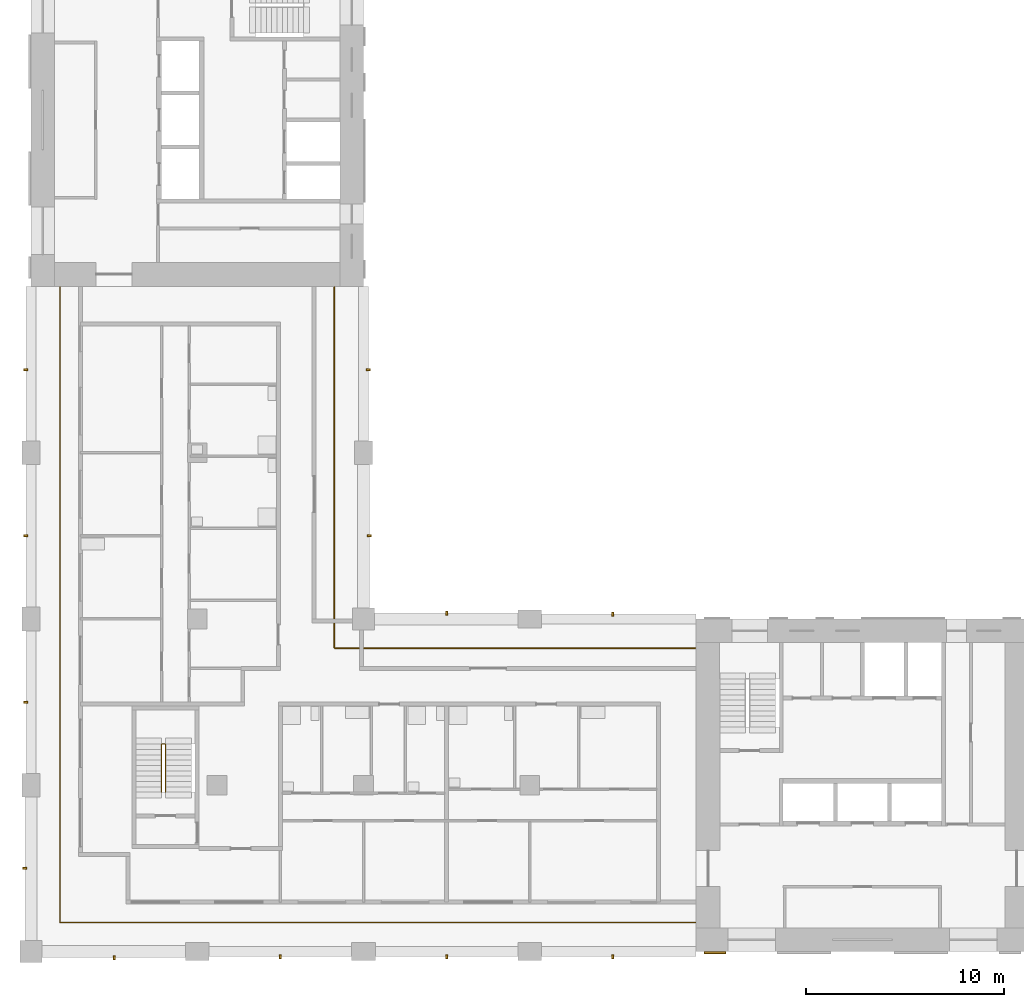
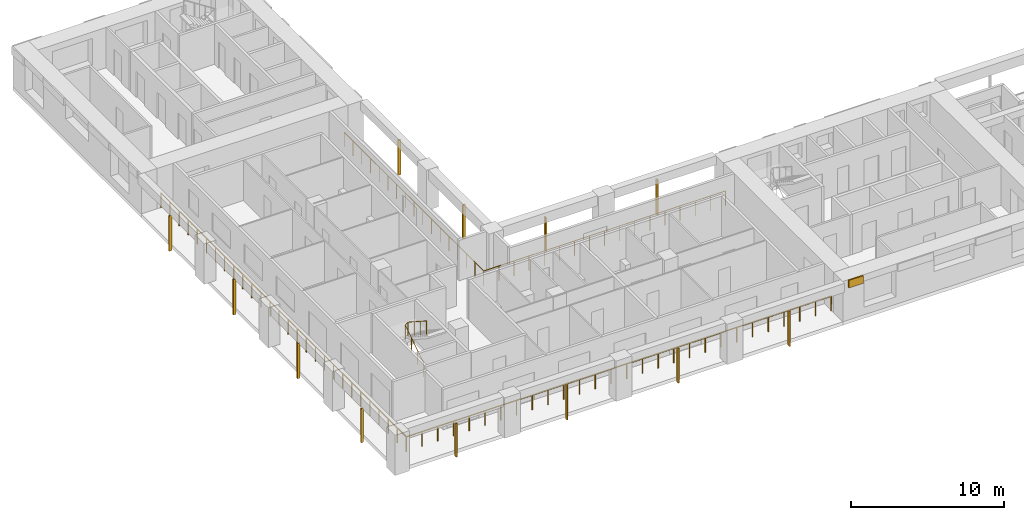
# One storey, part 7 of 10: 13 shading devices, 3 railings.
"""IFC4 building model written with IfcOpenShell, lengths in metres."""

from ifc_helpers import new_model, si_unit, direction, frame, origin, origin_2d, place, context, subcontext, project, spatial, rectangle, circle, extrude, material, layer, layer_set, material_profile, profile_set, type_object, element, save


model = new_model("IFC4")

# Units and contexts
model_context = context("Model", 3, precision=1e-05, world=origin(), true_north=direction((0.0, 1.0)))
body_context = subcontext(model_context, "Body", "Model", "MODEL_VIEW")
ifc_project = project(units=[si_unit("LENGTHUNIT", "METRE"), si_unit("AREAUNIT", "SQUARE_METRE"), si_unit("VOLUMEUNIT", "CUBIC_METRE"), si_unit("PLANEANGLEUNIT", "RADIAN"), si_unit("MASSUNIT", "GRAM", prefix="KILO")], contexts=[model_context])

# Site, building, storey
site_placement = place(None, origin())
site = spatial("IfcSite", under=ifc_project, at=site_placement, CompositionType="ELEMENT")
building_placement = place(site_placement, origin())
building = spatial("IfcBuilding", under=site, at=building_placement, Name="Vermilion Gate Residences", CompositionType="ELEMENT")
storey_placement = place(building_placement, frame((0.0, 0.0, 172.199951171875)))
storey = spatial("IfcBuildingStorey", under=building, at=storey_placement, Name="L44", CompositionType="ELEMENT", Elevation=172.199951171875)

# Railings
ifc_material_1 = material(Name="Stainless steel and toughened glass", Category="steel")
railing_type_1 = type_object("IfcRailingType", Name="LOGGIA GUARD STEEL AND GLASS 1200", PredefinedType="GUARDRAIL", material=ifc_material_1)
railing_1_placement = place(storey_placement, frame((41.97802734375, 23.72509765625, 0.0)))
element("IfcRailing", 1, at=railing_1_placement, inside=storey, type_object=railing_type_1, Name="Loggia guard", PredefinedType="GUARDRAIL", context=body_context, shape_type="SweptSolid", body=[
    extrude(circle(Radius=0.030029296875, at=origin_2d()), frame((0.0, 0.0, 1.169921875), z_axis=(-1.0, 0.0, 0.0), x_axis=(0.0, -1.0, 0.0)), (0.0, 0.0, 1.0), 18.2529296875),
    extrude(circle(Radius=0.030029296875, at=origin_2d()), frame((-18.2529296875, 0.0, 1.169921875), z_axis=(0.0, 1.0, 0.0), x_axis=(-1.0, 0.0, 0.0)), (0.0, 0.0, 1.0), 18.2529296875),
    extrude(circle(Radius=0.02490234375, at=origin_2d()), origin(), (0.0, 0.0, 1.0), 1.139892578125),
    extrude(circle(Radius=0.02490234375, at=origin_2d()), frame((-1.140869140625, 0.0, 0.0)), (0.0, 0.0, 1.0), 1.139892578125),
    extrude(circle(Radius=0.02490234375, at=origin_2d()), frame((-2.28173828125, 0.0, 0.0)), (0.0, 0.0, 1.0), 1.139892578125),
    extrude(circle(Radius=0.02490234375, at=origin_2d()), frame((-3.42236328125, 0.0, 0.0)), (0.0, 0.0, 1.0), 1.139892578125),
    extrude(circle(Radius=0.02490234375, at=origin_2d()), frame((-4.563232421875, 0.0, 0.0)), (0.0, 0.0, 1.0), 1.139892578125),
    extrude(circle(Radius=0.02490234375, at=origin_2d()), frame((-5.7041015625, 0.0, 0.0)), (0.0, 0.0, 1.0), 1.139892578125),
    extrude(circle(Radius=0.02490234375, at=origin_2d()), frame((-6.8447265625, 0.0, 0.0)), (0.0, 0.0, 1.0), 1.139892578125),
    extrude(circle(Radius=0.02490234375, at=origin_2d()), frame((-7.985595703125, 0.0, 0.0)), (0.0, 0.0, 1.0), 1.139892578125),
    extrude(circle(Radius=0.02490234375, at=origin_2d()), frame((-9.12646484375, 0.0, 0.0)), (0.0, 0.0, 1.0), 1.139892578125),
    extrude(circle(Radius=0.02490234375, at=origin_2d()), frame((-10.267333984375, 0.0, 0.0)), (0.0, 0.0, 1.0), 1.139892578125),
    extrude(circle(Radius=0.02490234375, at=origin_2d()), frame((-11.408203125, 0.0, 0.0)), (0.0, 0.0, 1.0), 1.139892578125),
    extrude(circle(Radius=0.02490234375, at=origin_2d()), frame((-12.548828125, 0.0, 0.0)), (0.0, 0.0, 1.0), 1.139892578125),
    extrude(circle(Radius=0.02490234375, at=origin_2d()), frame((-13.689697265625, 0.0, 0.0)), (0.0, 0.0, 1.0), 1.139892578125),
    extrude(circle(Radius=0.02490234375, at=origin_2d()), frame((-14.83056640625, 0.0, 0.0)), (0.0, 0.0, 1.0), 1.139892578125),
    extrude(circle(Radius=0.02490234375, at=origin_2d()), frame((-15.97119140625, 0.0, 0.0)), (0.0, 0.0, 1.0), 1.139892578125),
    extrude(circle(Radius=0.02490234375, at=origin_2d()), frame((-17.112060546875, 0.0, 0.0)), (0.0, 0.0, 1.0), 1.139892578125),
    extrude(circle(Radius=0.02490234375, at=origin_2d()), frame((-18.2529296875, 0.0, 0.0)), (0.0, 0.0, 1.0), 1.139892578125),
    extrude(circle(Radius=0.02490234375, at=origin_2d()), frame((-18.2529296875, 1.140869140625, 0.0)), (0.0, 0.0, 1.0), 1.139892578125),
    extrude(circle(Radius=0.02490234375, at=origin_2d()), frame((-18.2529296875, 2.28173828125, 0.0)), (0.0, 0.0, 1.0), 1.139892578125),
    extrude(circle(Radius=0.02490234375, at=origin_2d()), frame((-18.2529296875, 3.42236328125, 0.0)), (0.0, 0.0, 1.0), 1.139892578125),
    extrude(circle(Radius=0.02490234375, at=origin_2d()), frame((-18.2529296875, 4.563232421875, 0.0)), (0.0, 0.0, 1.0), 1.139892578125),
    extrude(circle(Radius=0.02490234375, at=origin_2d()), frame((-18.2529296875, 5.7041015625, 0.0)), (0.0, 0.0, 1.0), 1.139892578125),
    extrude(circle(Radius=0.02490234375, at=origin_2d()), frame((-18.2529296875, 6.8447265625, 0.0)), (0.0, 0.0, 1.0), 1.139892578125),
    extrude(circle(Radius=0.02490234375, at=origin_2d()), frame((-18.2529296875, 7.985595703125, 0.0)), (0.0, 0.0, 1.0), 1.139892578125),
    extrude(circle(Radius=0.02490234375, at=origin_2d()), frame((-18.2529296875, 9.12646484375, 0.0)), (0.0, 0.0, 1.0), 1.139892578125),
    extrude(circle(Radius=0.02490234375, at=origin_2d()), frame((-18.2529296875, 10.267333984375, 0.0)), (0.0, 0.0, 1.0), 1.139892578125),
    extrude(circle(Radius=0.02490234375, at=origin_2d()), frame((-18.2529296875, 11.408203125, 0.0)), (0.0, 0.0, 1.0), 1.139892578125),
    extrude(circle(Radius=0.02490234375, at=origin_2d()), frame((-18.2529296875, 12.548828125, 0.0)), (0.0, 0.0, 1.0), 1.139892578125),
    extrude(circle(Radius=0.02490234375, at=origin_2d()), frame((-18.2529296875, 13.689697265625, 0.0)), (0.0, 0.0, 1.0), 1.139892578125),
    extrude(circle(Radius=0.02490234375, at=origin_2d()), frame((-18.2529296875, 14.83056640625, 0.0)), (0.0, 0.0, 1.0), 1.139892578125),
    extrude(circle(Radius=0.02490234375, at=origin_2d()), frame((-18.2529296875, 15.97119140625, 0.0)), (0.0, 0.0, 1.0), 1.139892578125),
    extrude(circle(Radius=0.02490234375, at=origin_2d()), frame((-18.2529296875, 17.112060546875, 0.0)), (0.0, 0.0, 1.0), 1.139892578125),
    extrude(circle(Radius=0.02490234375, at=origin_2d()), frame((-18.2529296875, 18.2529296875, 0.0)), (0.0, 0.0, 1.0), 1.139892578125),
])
railing_2_placement = place(storey_placement, frame((9.875, 41.97802734375, 0.0)))
element("IfcRailing", 2, at=railing_2_placement, inside=storey, type_object=railing_type_1, Name="Loggia guard", PredefinedType="GUARDRAIL", context=body_context, shape_type="SweptSolid", body=[
    extrude(circle(Radius=0.030029296875, at=origin_2d()), frame((0.0, 0.0, 1.169921875), z_axis=(0.0, -1.0, 0.0), x_axis=(1.0, 0.0, 0.0)), (0.0, 0.0, 1.0), 32.10302734375),
    extrude(circle(Radius=0.030029296875, at=origin_2d()), frame((0.0, -32.10302734375, 1.169921875), z_axis=(1.0, 0.0, 0.0), x_axis=(0.0, 1.0, 0.0)), (0.0, 0.0, 1.0), 32.10302734375),
    extrude(circle(Radius=0.02490234375, at=origin_2d()), origin(), (0.0, 0.0, 1.0), 1.139892578125),
    extrude(circle(Radius=0.02490234375, at=origin_2d()), frame((0.0, -1.18896484375, 0.0)), (0.0, 0.0, 1.0), 1.139892578125),
    extrude(circle(Radius=0.02490234375, at=origin_2d()), frame((0.0, -2.3779296875, 0.0)), (0.0, 0.0, 1.0), 1.139892578125),
    extrude(circle(Radius=0.02490234375, at=origin_2d()), frame((0.0, -3.56689453125, 0.0)), (0.0, 0.0, 1.0), 1.139892578125),
    extrude(circle(Radius=0.02490234375, at=origin_2d()), frame((0.0, -4.756103515625, 0.0)), (0.0, 0.0, 1.0), 1.139892578125),
    extrude(circle(Radius=0.02490234375, at=origin_2d()), frame((0.0, -5.945068359375, 0.0)), (0.0, 0.0, 1.0), 1.139892578125),
    extrude(circle(Radius=0.02490234375, at=origin_2d()), frame((0.0, -7.134033203125, 0.0)), (0.0, 0.0, 1.0), 1.139892578125),
    extrude(circle(Radius=0.02490234375, at=origin_2d()), frame((0.0, -8.322998046875, 0.0)), (0.0, 0.0, 1.0), 1.139892578125),
    extrude(circle(Radius=0.02490234375, at=origin_2d()), frame((0.0, -9.511962890625, 0.0)), (0.0, 0.0, 1.0), 1.139892578125),
    extrude(circle(Radius=0.02490234375, at=origin_2d()), frame((0.0, -10.700927734375, 0.0)), (0.0, 0.0, 1.0), 1.139892578125),
    extrude(circle(Radius=0.02490234375, at=origin_2d()), frame((0.0, -11.889892578125, 0.0)), (0.0, 0.0, 1.0), 1.139892578125),
    extrude(circle(Radius=0.02490234375, at=origin_2d()), frame((0.0, -13.0791015625, 0.0)), (0.0, 0.0, 1.0), 1.139892578125),
    extrude(circle(Radius=0.02490234375, at=origin_2d()), frame((0.0, -14.26806640625, 0.0)), (0.0, 0.0, 1.0), 1.139892578125),
    extrude(circle(Radius=0.02490234375, at=origin_2d()), frame((0.0, -15.45703125, 0.0)), (0.0, 0.0, 1.0), 1.139892578125),
    extrude(circle(Radius=0.02490234375, at=origin_2d()), frame((0.0, -16.64599609375, 0.0)), (0.0, 0.0, 1.0), 1.139892578125),
    extrude(circle(Radius=0.02490234375, at=origin_2d()), frame((0.0, -17.8349609375, 0.0)), (0.0, 0.0, 1.0), 1.139892578125),
    extrude(circle(Radius=0.02490234375, at=origin_2d()), frame((0.0, -19.02392578125, 0.0)), (0.0, 0.0, 1.0), 1.139892578125),
    extrude(circle(Radius=0.02490234375, at=origin_2d()), frame((0.0, -20.213134765625, 0.0)), (0.0, 0.0, 1.0), 1.139892578125),
    extrude(circle(Radius=0.02490234375, at=origin_2d()), frame((0.0, -21.402099609375, 0.0)), (0.0, 0.0, 1.0), 1.139892578125),
    extrude(circle(Radius=0.02490234375, at=origin_2d()), frame((0.0, -22.591064453125, 0.0)), (0.0, 0.0, 1.0), 1.139892578125),
    extrude(circle(Radius=0.02490234375, at=origin_2d()), frame((0.0, -23.780029296875, 0.0)), (0.0, 0.0, 1.0), 1.139892578125),
    extrude(circle(Radius=0.02490234375, at=origin_2d()), frame((0.0, -24.968994140625, 0.0)), (0.0, 0.0, 1.0), 1.139892578125),
    extrude(circle(Radius=0.02490234375, at=origin_2d()), frame((0.0, -26.157958984375, 0.0)), (0.0, 0.0, 1.0), 1.139892578125),
    extrude(circle(Radius=0.02490234375, at=origin_2d()), frame((0.0, -27.346923828125, 0.0)), (0.0, 0.0, 1.0), 1.139892578125),
    extrude(circle(Radius=0.02490234375, at=origin_2d()), frame((0.0, -28.5361328125, 0.0)), (0.0, 0.0, 1.0), 1.139892578125),
    extrude(circle(Radius=0.02490234375, at=origin_2d()), frame((0.0, -29.72509765625, 0.0)), (0.0, 0.0, 1.0), 1.139892578125),
    extrude(circle(Radius=0.02490234375, at=origin_2d()), frame((0.0, -30.9140625, 0.0)), (0.0, 0.0, 1.0), 1.139892578125),
    extrude(circle(Radius=0.02490234375, at=origin_2d()), frame((0.0, -32.10302734375, 0.0)), (0.0, 0.0, 1.0), 1.139892578125),
    extrude(circle(Radius=0.02490234375, at=origin_2d()), frame((1.18896484375, -32.10302734375, 0.0)), (0.0, 0.0, 1.0), 1.139892578125),
    extrude(circle(Radius=0.02490234375, at=origin_2d()), frame((2.3779296875, -32.10302734375, 0.0)), (0.0, 0.0, 1.0), 1.139892578125),
    extrude(circle(Radius=0.02490234375, at=origin_2d()), frame((3.56689453125, -32.10302734375, 0.0)), (0.0, 0.0, 1.0), 1.139892578125),
    extrude(circle(Radius=0.02490234375, at=origin_2d()), frame((4.756103515625, -32.10302734375, 0.0)), (0.0, 0.0, 1.0), 1.139892578125),
    extrude(circle(Radius=0.02490234375, at=origin_2d()), frame((5.945068359375, -32.10302734375, 0.0)), (0.0, 0.0, 1.0), 1.139892578125),
    extrude(circle(Radius=0.02490234375, at=origin_2d()), frame((7.134033203125, -32.10302734375, 0.0)), (0.0, 0.0, 1.0), 1.139892578125),
    extrude(circle(Radius=0.02490234375, at=origin_2d()), frame((8.322998046875, -32.10302734375, 0.0)), (0.0, 0.0, 1.0), 1.139892578125),
    extrude(circle(Radius=0.02490234375, at=origin_2d()), frame((9.511962890625, -32.10302734375, 0.0)), (0.0, 0.0, 1.0), 1.139892578125),
    extrude(circle(Radius=0.02490234375, at=origin_2d()), frame((10.700927734375, -32.10302734375, 0.0)), (0.0, 0.0, 1.0), 1.139892578125),
    extrude(circle(Radius=0.02490234375, at=origin_2d()), frame((11.889892578125, -32.10302734375, 0.0)), (0.0, 0.0, 1.0), 1.139892578125),
    extrude(circle(Radius=0.02490234375, at=origin_2d()), frame((13.0791015625, -32.10302734375, 0.0)), (0.0, 0.0, 1.0), 1.139892578125),
    extrude(circle(Radius=0.02490234375, at=origin_2d()), frame((14.26806640625, -32.10302734375, 0.0)), (0.0, 0.0, 1.0), 1.139892578125),
    extrude(circle(Radius=0.02490234375, at=origin_2d()), frame((15.45703125, -32.10302734375, 0.0)), (0.0, 0.0, 1.0), 1.139892578125),
    extrude(circle(Radius=0.02490234375, at=origin_2d()), frame((16.64599609375, -32.10302734375, 0.0)), (0.0, 0.0, 1.0), 1.139892578125),
    extrude(circle(Radius=0.02490234375, at=origin_2d()), frame((17.8349609375, -32.10302734375, 0.0)), (0.0, 0.0, 1.0), 1.139892578125),
    extrude(circle(Radius=0.02490234375, at=origin_2d()), frame((19.02392578125, -32.10302734375, 0.0)), (0.0, 0.0, 1.0), 1.139892578125),
    extrude(circle(Radius=0.02490234375, at=origin_2d()), frame((20.213134765625, -32.10302734375, 0.0)), (0.0, 0.0, 1.0), 1.139892578125),
    extrude(circle(Radius=0.02490234375, at=origin_2d()), frame((21.402099609375, -32.10302734375, 0.0)), (0.0, 0.0, 1.0), 1.139892578125),
    extrude(circle(Radius=0.02490234375, at=origin_2d()), frame((22.591064453125, -32.10302734375, 0.0)), (0.0, 0.0, 1.0), 1.139892578125),
    extrude(circle(Radius=0.02490234375, at=origin_2d()), frame((23.780029296875, -32.10302734375, 0.0)), (0.0, 0.0, 1.0), 1.139892578125),
    extrude(circle(Radius=0.02490234375, at=origin_2d()), frame((24.968994140625, -32.10302734375, 0.0)), (0.0, 0.0, 1.0), 1.139892578125),
    extrude(circle(Radius=0.02490234375, at=origin_2d()), frame((26.157958984375, -32.10302734375, 0.0)), (0.0, 0.0, 1.0), 1.139892578125),
    extrude(circle(Radius=0.02490234375, at=origin_2d()), frame((27.346923828125, -32.10302734375, 0.0)), (0.0, 0.0, 1.0), 1.139892578125),
    extrude(circle(Radius=0.02490234375, at=origin_2d()), frame((28.5361328125, -32.10302734375, 0.0)), (0.0, 0.0, 1.0), 1.139892578125),
    extrude(circle(Radius=0.02490234375, at=origin_2d()), frame((29.72509765625, -32.10302734375, 0.0)), (0.0, 0.0, 1.0), 1.139892578125),
    extrude(circle(Radius=0.02490234375, at=origin_2d()), frame((30.9140625, -32.10302734375, 0.0)), (0.0, 0.0, 1.0), 1.139892578125),
    extrude(circle(Radius=0.02490234375, at=origin_2d()), frame((32.10302734375, -32.10302734375, 0.0)), (0.0, 0.0, 1.0), 1.139892578125),
])
ifc_material_2 = material(Name="Steel S355", Category="steel")
railing_type_2 = type_object("IfcRailingType", Name="STAIR GUARD 1100 STEEL", PredefinedType="GUARDRAIL", material=ifc_material_2)
railing_3_placement = place(storey_placement, frame((15.0, 16.449951171875, 0.175048828125)))
element("IfcRailing", 3, at=railing_3_placement, inside=storey, type_object=railing_type_2, Name="Stair well guard STC1-44", PredefinedType="GUARDRAIL", context=body_context, shape_type="SweptSolid", body=[
    extrude(circle(Radius=0.02392578125, at=origin_2d()), frame((0.0, 0.0, 1.076171875), z_axis=(0.0, 0.839153699163, 0.543894354798), x_axis=(-1.0, 0.0, 0.0)), (0.0, 0.0, 1.0), 2.895751953125),
    extrude(circle(Radius=0.02392578125, at=origin_2d()), frame((0.0, 2.429931640625, 2.65087890625), z_axis=(0.752405939678, 0.0, 0.658699705433), x_axis=(0.0, 1.0, 0.0)), (0.0, 0.0, 1.0), 0.265869140625),
    extrude(circle(Radius=0.02392578125, at=origin_2d()), frame((0.199951171875, 2.429931640625, 2.826171875), z_axis=(0.0, -0.839153699163, 0.543894354798), x_axis=(1.0, 0.0, 0.0)), (0.0, 0.0, 1.0), 2.895751953125),
    extrude(circle(Radius=0.02099609375, at=origin_2d()), origin(), (0.0, 0.0, 1.0), 1.052001953125),
    extrude(circle(Radius=0.02099609375, at=origin_2d()), frame((0.0, 0.81005859375, 0.52490234375)), (0.0, 0.0, 1.0), 1.052001953125),
    extrude(circle(Radius=0.02099609375, at=origin_2d()), frame((0.0, 1.619873046875, 1.050048828125)), (0.0, 0.0, 1.0), 1.052001953125),
    extrude(circle(Radius=0.02099609375, at=origin_2d()), frame((0.0, 2.429931640625, 1.574951171875)), (0.0, 0.0, 1.0), 1.052001953125),
    extrude(circle(Radius=0.02099609375, at=origin_2d()), frame((0.199951171875, 2.429931640625, 1.75)), (0.0, 0.0, 1.0), 1.052001953125),
    extrude(circle(Radius=0.02099609375, at=origin_2d()), frame((0.199951171875, 1.619873046875, 2.27490234375)), (0.0, 0.0, 1.0), 1.052001953125),
    extrude(circle(Radius=0.02099609375, at=origin_2d()), frame((0.199951171875, 0.81005859375, 2.800048828125)), (0.0, 0.0, 1.0), 1.052001953125),
    extrude(circle(Radius=0.02099609375, at=origin_2d()), frame((0.199951171875, 0.0, 3.324951171875)), (0.0, 0.0, 1.0), 1.052001953125),
])

# Shading devices
ifc_material_3 = material(Name="Extruded terracotta", Category="masonry")
ifc_material_profile = material_profile(ifc_material_3, rectangle(XDim=0.199951171875, YDim=0.10009765625, at=origin_2d()), Name="BAGUETTE 100 X 200")
ifc_profile_set = profile_set([ifc_material_profile], Name="Extruded terracotta")
shading_device_type_1 = type_object("IfcShadingDeviceType", Name="TERRACOTTA BAGUETTE 100 X 200", PredefinedType="JALOUSIE", material=ifc_profile_set)
shading_device_1_placement = place(storey_placement, frame((12.60009765625, 8.10009765625, -0.280029296875), z_axis=(0.0, 0.0, 1.0), x_axis=(0.0, 1.0, 0.0)))
element("IfcShadingDevice", 4, at=shading_device_1_placement, inside=storey, type_object=shading_device_type_1, Name="BAGUETTE", PredefinedType="JALOUSIE", context=body_context, shape_type="SweptSolid", body=[
    extrude(rectangle(XDim=0.199951171875, YDim=0.10009765625, at=origin_2d()), origin(), (0.0, 0.0, 1.0), 2.7001953125),
])
for number, where, z_axis, x_axis, name in (
    (5, (21.0, 8.14990234375, -0.280029296875), (0.0, 0.0, 1.0), (0.0, 1.0, 0.0), "BAGUETTE"),
    (6, (29.39990234375, 8.14990234375, -0.280029296875), (0.0, 0.0, 1.0), (0.0, 1.0, 0.0), "BAGUETTE"),
    (7, (37.800048828125, 8.14990234375, -0.280029296875), (0.0, 0.0, 1.0), (0.0, 1.0, 0.0), "BAGUETTE"),
):
    element("IfcShadingDevice", number, at=place(storey_placement, frame(where, z_axis=z_axis, x_axis=x_axis)), inside=storey, type_object=shading_device_type_1, Name=name, PredefinedType="JALOUSIE", context=body_context, shape_type="SweptSolid", body=[
        extrude(rectangle(XDim=0.199951171875, YDim=0.10009765625, at=origin_2d()), origin(), (0.0, 0.0, 1.0), 2.800048828125),
    ])
shading_device_2_placement = place(storey_placement, frame((29.39990234375, 25.5, -0.280029296875), z_axis=(0.0, 0.0, 1.0), x_axis=(0.0, -1.0, 0.0)))
element("IfcShadingDevice", 8, at=shading_device_2_placement, inside=storey, type_object=shading_device_type_1, Name="BAGUETTE", PredefinedType="JALOUSIE", context=body_context, shape_type="SweptSolid", body=[
    extrude(rectangle(XDim=0.199951171875, YDim=0.10009765625, at=origin_2d()), origin(), (0.0, 0.0, 1.0), 2.7001953125),
])
shading_device_3_placement = place(storey_placement, frame((37.800048828125, 25.449951171875, -0.280029296875), z_axis=(0.0, 0.0, 1.0), x_axis=(0.0, -1.0, 0.0)))
element("IfcShadingDevice", 9, at=shading_device_3_placement, inside=storey, type_object=shading_device_type_1, Name="BAGUETTE", PredefinedType="JALOUSIE", context=body_context, shape_type="SweptSolid", body=[
    extrude(rectangle(XDim=0.199951171875, YDim=0.10009765625, at=origin_2d()), origin(), (0.0, 0.0, 1.0), 2.800048828125),
])
shading_device_4_placement = place(storey_placement, frame((25.5, 29.39990234375, -0.280029296875), z_axis=(0.0, 0.0, 1.0), x_axis=(-1.0, 0.0, 0.0)))
element("IfcShadingDevice", 10, at=shading_device_4_placement, inside=storey, type_object=shading_device_type_1, Name="BAGUETTE", PredefinedType="JALOUSIE", context=body_context, shape_type="SweptSolid", body=[
    extrude(rectangle(XDim=0.199951171875, YDim=0.10009765625, at=origin_2d()), origin(), (0.0, 0.0, 1.0), 2.7001953125),
])
shading_device_5_placement = place(storey_placement, frame((25.449951171875, 37.800048828125, -0.280029296875), z_axis=(0.0, 0.0, 1.0), x_axis=(-1.0, 0.0, 0.0)))
element("IfcShadingDevice", 11, at=shading_device_5_placement, inside=storey, type_object=shading_device_type_1, Name="BAGUETTE", PredefinedType="JALOUSIE", context=body_context, shape_type="SweptSolid", body=[
    extrude(rectangle(XDim=0.199951171875, YDim=0.10009765625, at=origin_2d()), origin(), (0.0, 0.0, 1.0), 2.800048828125),
])
shading_device_6_placement = place(storey_placement, frame((8.10009765625, 12.60009765625, -0.280029296875), z_axis=(0.0, 0.0, 1.0), x_axis=(1.0, 0.0, 0.0)))
element("IfcShadingDevice", 12, at=shading_device_6_placement, inside=storey, type_object=shading_device_type_1, Name="BAGUETTE", PredefinedType="JALOUSIE", context=body_context, shape_type="SweptSolid", body=[
    extrude(rectangle(XDim=0.199951171875, YDim=0.10009765625, at=origin_2d()), origin(), (0.0, 0.0, 1.0), 2.7001953125),
])
for number, where, z_axis, x_axis, name in (
    (13, (8.14990234375, 21.0, -0.280029296875), (0.0, 0.0, 1.0), (1.0, 0.0, 0.0), "BAGUETTE"),
    (14, (8.14990234375, 29.39990234375, -0.280029296875), (0.0, 0.0, 1.0), (1.0, 0.0, 0.0), "BAGUETTE"),
    (15, (8.14990234375, 37.800048828125, -0.280029296875), (0.0, 0.0, 1.0), (1.0, 0.0, 0.0), "BAGUETTE"),
):
    element("IfcShadingDevice", number, at=place(storey_placement, frame(where, z_axis=z_axis, x_axis=x_axis)), inside=storey, type_object=shading_device_type_1, Name=name, PredefinedType="JALOUSIE", context=body_context, shape_type="SweptSolid", body=[
        extrude(rectangle(XDim=0.199951171875, YDim=0.10009765625, at=origin_2d()), origin(), (0.0, 0.0, 1.0), 2.800048828125),
    ])
ifc_material_4 = material(Name="Extruded terracotta", Category="masonry")
ifc_layer = layer(ifc_material_4, 0.10009765625)
ifc_layer_set = layer_set([ifc_layer], Name="TERRACOTTA SPANDREL BAND 600 X 100")
shading_device_type_2 = type_object("IfcShadingDeviceType", Name="TERRACOTTA SPANDREL BAND 600 X 100", PredefinedType="USERDEFINED", material=ifc_layer_set)
shading_device_7_placement = place(storey_placement, frame((42.949951171875, 8.35009765625, 2.6201171875), z_axis=(0.0, 0.0, 1.0), x_axis=(1.0, 0.0, 0.0)))
element("IfcShadingDevice", 16, at=shading_device_7_placement, inside=storey, type_object=shading_device_type_2, Name="SPANDREL BAND", ObjectType="BAND", PredefinedType="USERDEFINED", context=body_context, shape_type="SweptSolid", body=[
    extrude(rectangle(XDim=1.10009765625, YDim=0.10009765625, at=origin_2d()), origin(), (0.0, 0.0, 1.0), 0.60009765625),
])

save(model, "model.ifc")
